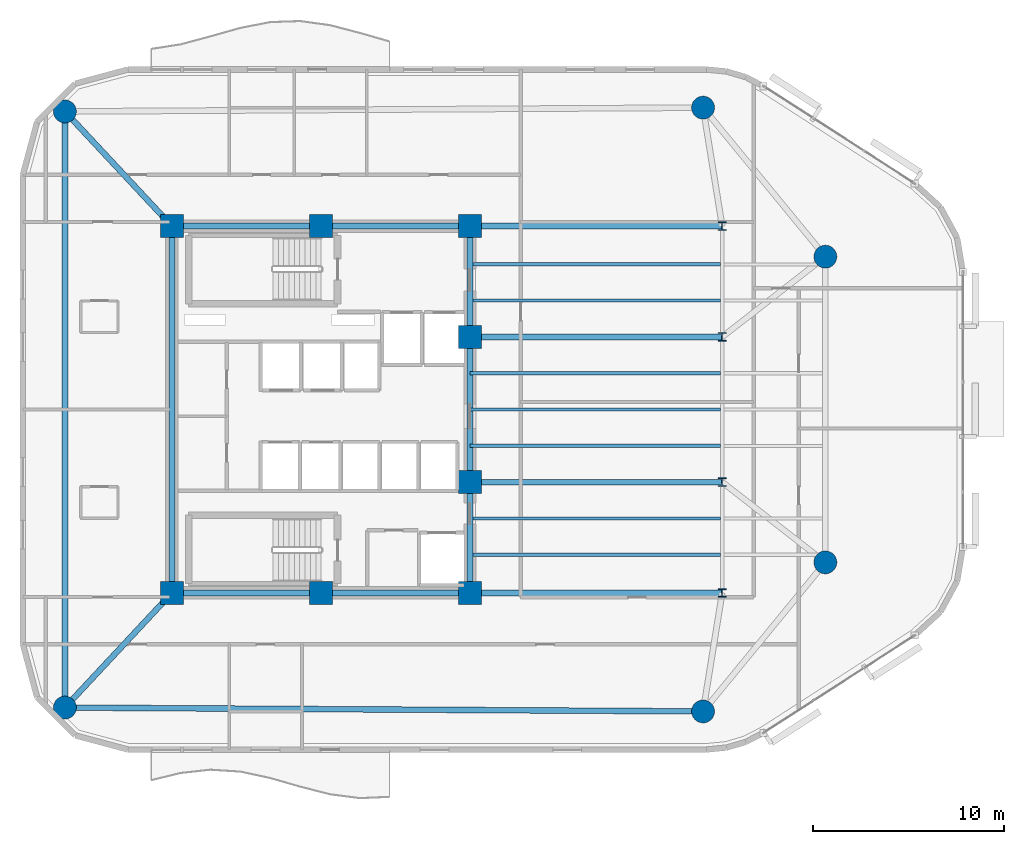
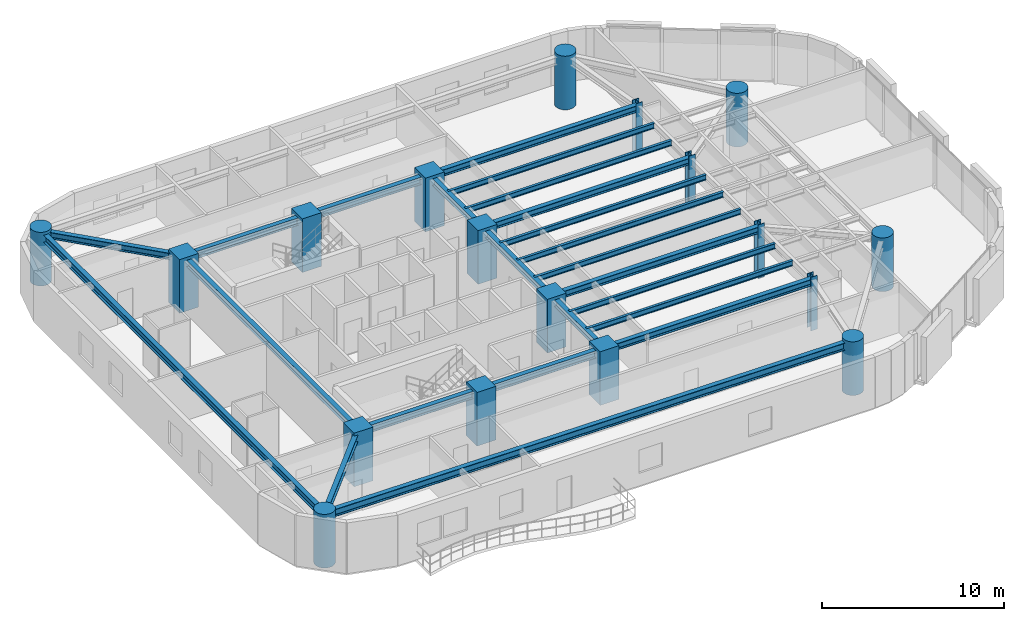
# One storey, part 1 of 15: 21 beams, 18 columns.
"""IFC4 building model written with IfcOpenShell, lengths in metres."""

from ifc_helpers import new_model, si_unit, direction, frame, origin, origin_2d, place, context, subcontext, project, spatial, rectangle, circle, i_section, extrude, material, material_profile, profile_set, type_object, element, save


model = new_model("IFC4")

# Units and contexts
model_context = context("Model", 3, precision=1e-05, world=origin(), true_north=direction((0.0, 1.0)))
body_context = subcontext(model_context, "Body", "Model", "MODEL_VIEW")
ifc_project = project(units=[si_unit("LENGTHUNIT", "METRE"), si_unit("AREAUNIT", "SQUARE_METRE"), si_unit("VOLUMEUNIT", "CUBIC_METRE"), si_unit("PLANEANGLEUNIT", "RADIAN"), si_unit("MASSUNIT", "GRAM", prefix="KILO")], contexts=[model_context])

# Site, building, storey
site_placement = place(None, origin())
site = spatial("IfcSite", under=ifc_project, at=site_placement, CompositionType="ELEMENT")
building_placement = place(site_placement, origin())
building = spatial("IfcBuilding", under=site, at=building_placement, Name="An Khanh Terracotta Commons", CompositionType="ELEMENT")
storey_placement = place(building_placement, frame((0.0, 0.0, 165.39990234375)))
storey = spatial("IfcBuildingStorey", under=building, at=storey_placement, Name="L43", CompositionType="ELEMENT", Elevation=165.39990234375)

# Columns
ifc_material_1 = material(Name="Concrete C60/75", Category="concrete")
ifc_material_profile_1 = material_profile(ifc_material_1, circle(Radius=0.60009765625, at=origin_2d()), Name="CFST1200")
ifc_profile_set_1 = profile_set([ifc_material_profile_1], Name="Concrete C60/75")
column_type_1 = type_object("IfcColumnType", Name="COL-CFST1200", PredefinedType="COLUMN", material=ifc_profile_set_1)
for number, where, z_axis, x_axis, name in (
    (1, (16.0, 8.39990234375, 0.0), (0.0, 0.0, 1.0), (1.0, 0.0, 0.0), "L43 Perimeter CFST Mega-Column MC-01"),
    (2, (49.39990234375, 8.199951171875, 0.0), (0.0, 0.0, 1.0), (1.0, 0.0, 0.0), "L43 Perimeter CFST Mega-Column MC-02"),
    (3, (55.800048828125, 16.0, 0.0), (0.0, 0.0, 1.0), (1.0, 0.0, 0.0), "L43 Perimeter CFST Mega-Column MC-03"),
    (4, (55.800048828125, 32.0, 0.0), (0.0, 0.0, 1.0), (1.0, 0.0, 0.0), "L43 Perimeter CFST Mega-Column MC-04"),
    (5, (49.39990234375, 39.800048828125, 0.0), (0.0, 0.0, 1.0), (1.0, 0.0, 0.0), "L43 Perimeter CFST Mega-Column MC-05"),
    (6, (16.0, 39.60009765625, 0.0), (0.0, 0.0, 1.0), (1.0, 0.0, 0.0), "L43 Perimeter CFST Mega-Column MC-06"),
):
    element("IfcColumn", number, at=place(storey_placement, frame(where, z_axis=z_axis, x_axis=x_axis)), inside=storey, type_object=column_type_1, Name=name, PredefinedType="COLUMN", context=body_context, shape_type="SweptSolid", body=[
        extrude(circle(Radius=0.60009765625, at=origin_2d()), origin(), (0.0, 0.0, 1.0), 3.60009765625),
    ])
ifc_material_2 = material(Name="Steel S460ML", Category="steel")
ifc_material_profile_2 = material_profile(ifc_material_2, i_section(OverallWidth=0.406005859375, OverallDepth=0.43994140625, WebThickness=0.02392578125, FlangeThickness=0.0390625, FilletRadius=0.014892578125, at=origin_2d()), Name="HD400x314")
ifc_profile_set_2 = profile_set([ifc_material_profile_2], Name="Steel S460ML")
column_type_2 = type_object("IfcColumnType", Name="COL-HD400x314", PredefinedType="COLUMN", material=ifc_profile_set_2)
for number, where, z_axis, x_axis, name in (
    (7, (50.39990234375, 14.39990234375, 0.0), (0.0, 0.0, 1.0), (1.0, 0.0, 0.0), "L43 Interior Frame Column TC-01"),
    (8, (50.39990234375, 20.199951171875, 0.0), (0.0, 0.0, 1.0), (1.0, 0.0, 0.0), "L43 Interior Frame Column TC-02"),
    (9, (50.39990234375, 27.800048828125, 0.0), (0.0, 0.0, 1.0), (1.0, 0.0, 0.0), "L43 Interior Frame Column TC-03"),
    (10, (50.39990234375, 33.60009765625, 0.0), (0.0, 0.0, 1.0), (1.0, 0.0, 0.0), "L43 Interior Frame Column TC-04"),
):
    element("IfcColumn", number, at=place(storey_placement, frame(where, z_axis=z_axis, x_axis=x_axis)), inside=storey, type_object=column_type_2, Name=name, PredefinedType="COLUMN", context=body_context, shape_type="SweptSolid", body=[
        extrude(i_section(OverallWidth=0.406005859375, OverallDepth=0.43994140625, WebThickness=0.02392578125, FlangeThickness=0.0390625, FilletRadius=0.014892578125, at=origin_2d()), origin(), (0.0, 0.0, 1.0), 3.60009765625),
    ])
ifc_material_profile_3 = material_profile(ifc_material_1, rectangle(XDim=1.199951171875, YDim=1.199951171875, at=origin_2d()), Name="RC1200x1200")
ifc_profile_set_3 = profile_set([ifc_material_profile_3], Name="Concrete C60/75")
column_type_3 = type_object("IfcColumnType", Name="COL-RC1200x1200", PredefinedType="COLUMN", material=ifc_profile_set_3)
for number, where, z_axis, x_axis, name in (
    (11, (21.60009765625, 14.39990234375, 0.0), (0.0, 0.0, 1.0), (1.0, 0.0, 0.0), "L43 Core Boundary Column CC-01"),
    (12, (29.39990234375, 14.39990234375, 0.0), (0.0, 0.0, 1.0), (1.0, 0.0, 0.0), "L43 Core Boundary Column CC-02"),
    (13, (37.199951171875, 14.39990234375, 0.0), (0.0, 0.0, 1.0), (1.0, 0.0, 0.0), "L43 Core Boundary Column CC-03"),
    (14, (37.199951171875, 20.199951171875, 0.0), (0.0, 0.0, 1.0), (1.0, 0.0, 0.0), "L43 Core Boundary Column CC-04"),
    (15, (37.199951171875, 27.800048828125, 0.0), (0.0, 0.0, 1.0), (1.0, 0.0, 0.0), "L43 Core Boundary Column CC-05"),
    (16, (37.199951171875, 33.60009765625, 0.0), (0.0, 0.0, 1.0), (1.0, 0.0, 0.0), "L43 Core Boundary Column CC-06"),
    (17, (29.39990234375, 33.60009765625, 0.0), (0.0, 0.0, 1.0), (1.0, 0.0, 0.0), "L43 Core Boundary Column CC-07"),
    (18, (21.60009765625, 33.60009765625, 0.0), (0.0, 0.0, 1.0), (1.0, 0.0, 0.0), "L43 Core Boundary Column CC-08"),
):
    element("IfcColumn", number, at=place(storey_placement, frame(where, z_axis=z_axis, x_axis=x_axis)), inside=storey, type_object=column_type_3, Name=name, PredefinedType="COLUMN", context=body_context, shape_type="SweptSolid", body=[
        extrude(rectangle(XDim=1.199951171875, YDim=1.199951171875, at=origin_2d()), origin(), (0.0, 0.0, 1.0), 3.60009765625),
    ])

# Beams
ifc_material_3 = material(Name="Steel S355J2", Category="steel")
ifc_material_profile_4 = material_profile(ifc_material_3, i_section(OverallWidth=0.300048828125, OverallDepth=0.449951171875, WebThickness=0.013916015625, FlangeThickness=0.02587890625, FilletRadius=0.027099609375, at=origin_2d()), Name="HEB450")
ifc_profile_set_4 = profile_set([ifc_material_profile_4], Name="Steel S355J2")
beam_type_1 = type_object("IfcBeamType", Name="BM-HEB450", PredefinedType="BEAM", material=ifc_profile_set_4)
beam_1_placement = place(storey_placement, frame((37.199951171875, 14.39990234375, 3.175048828125), z_axis=(0.0, 1.0, 0.0), x_axis=(-1.0, 0.0, 0.0)))
element("IfcBeam", 19, at=beam_1_placement, inside=storey, type_object=beam_type_1, Name="L43 Core East Coupling Girder 1", PredefinedType="BEAM", context=body_context, shape_type="SweptSolid", body=[
    extrude(i_section(OverallWidth=0.300048828125, OverallDepth=0.449951171875, WebThickness=0.013916015625, FlangeThickness=0.02587890625, FilletRadius=0.027099609375, at=origin_2d()), origin(), (0.0, 0.0, 1.0), 5.800048828125),
])
beam_2_placement = place(storey_placement, frame((37.199951171875, 20.199951171875, 3.175048828125), z_axis=(0.0, 1.0, 0.0), x_axis=(-1.0, 0.0, 0.0)))
element("IfcBeam", 20, at=beam_2_placement, inside=storey, type_object=beam_type_1, Name="L43 Core East Coupling Girder 2", PredefinedType="BEAM", context=body_context, shape_type="SweptSolid", body=[
    extrude(i_section(OverallWidth=0.300048828125, OverallDepth=0.449951171875, WebThickness=0.013916015625, FlangeThickness=0.02587890625, FilletRadius=0.027099609375, at=origin_2d()), origin(), (0.0, 0.0, 1.0), 7.60009765625),
])
beam_3_placement = place(storey_placement, frame((37.199951171875, 27.800048828125, 3.175048828125), z_axis=(0.0, 1.0, 0.0), x_axis=(-1.0, 0.0, 0.0)))
element("IfcBeam", 21, at=beam_3_placement, inside=storey, type_object=beam_type_1, Name="L43 Core East Coupling Girder 3", PredefinedType="BEAM", context=body_context, shape_type="SweptSolid", body=[
    extrude(i_section(OverallWidth=0.300048828125, OverallDepth=0.449951171875, WebThickness=0.013916015625, FlangeThickness=0.02587890625, FilletRadius=0.027099609375, at=origin_2d()), origin(), (0.0, 0.0, 1.0), 5.800048828125),
])
beam_4_placement = place(storey_placement, frame((21.60009765625, 14.39990234375, 3.175048828125), z_axis=(0.0, 1.0, 0.0), x_axis=(-1.0, 0.0, 0.0)))
element("IfcBeam", 22, at=beam_4_placement, inside=storey, type_object=beam_type_1, Name="L43 Core West Coupling Girder", PredefinedType="BEAM", context=body_context, shape_type="SweptSolid", body=[
    extrude(i_section(OverallWidth=0.300048828125, OverallDepth=0.449951171875, WebThickness=0.013916015625, FlangeThickness=0.02587890625, FilletRadius=0.027099609375, at=origin_2d()), origin(), (0.0, 0.0, 1.0), 19.2001953125),
])
for number, where, z_axis, x_axis, name in (
    (23, (37.199951171875, 14.39990234375, 3.175048828125), (1.0, 0.0, 0.0), (0.0, 1.0, 0.0), "L43 East Primary Floor Girder 1"),
    (24, (37.199951171875, 20.199951171875, 3.175048828125), (1.0, 0.0, 0.0), (0.0, 1.0, 0.0), "L43 East Primary Floor Girder 2"),
    (25, (37.199951171875, 27.800048828125, 3.175048828125), (1.0, 0.0, 0.0), (0.0, 1.0, 0.0), "L43 East Primary Floor Girder 3"),
    (26, (37.199951171875, 33.60009765625, 3.175048828125), (1.0, 0.0, 0.0), (0.0, 1.0, 0.0), "L43 East Primary Floor Girder 4"),
):
    element("IfcBeam", number, at=place(storey_placement, frame(where, z_axis=z_axis, x_axis=x_axis)), inside=storey, type_object=beam_type_1, Name=name, PredefinedType="BEAM", context=body_context, shape_type="SweptSolid", body=[
        extrude(i_section(OverallWidth=0.300048828125, OverallDepth=0.449951171875, WebThickness=0.013916015625, FlangeThickness=0.02587890625, FilletRadius=0.027099609375, at=origin_2d()), origin(), (0.0, 0.0, 1.0), 13.199951171875),
    ])
for number, where, z_axis, x_axis, name in (
    (27, (16.0, 8.39990234375, 3.175048828125), (0.682324609438, 0.731049333052, 0.0), (-0.731049333052, 0.682324609438, 0.0), "L43 Mega-Column Tie Girder 1"),
    (28, (16.0, 39.60009765625, 3.175048828125), (0.682324609438, -0.731049333052, 0.0), (0.731049333052, 0.682324609438, 0.0), "L43 Mega-Column Tie Girder 6"),
):
    element("IfcBeam", number, at=place(storey_placement, frame(where, z_axis=z_axis, x_axis=x_axis)), inside=storey, type_object=beam_type_1, Name=name, PredefinedType="BEAM", context=body_context, shape_type="SweptSolid", body=[
        extrude(i_section(OverallWidth=0.300048828125, OverallDepth=0.449951171875, WebThickness=0.013916015625, FlangeThickness=0.02587890625, FilletRadius=0.027099609375, at=origin_2d()), origin(), (0.0, 0.0, 1.0), 8.207275390625),
    ])
ifc_material_profile_5 = material_profile(ifc_material_3, i_section(OverallWidth=0.300048828125, OverallDepth=0.5, WebThickness=0.014404296875, FlangeThickness=0.028076171875, FilletRadius=0.027099609375, at=origin_2d()), Name="HEB500")
ifc_profile_set_5 = profile_set([ifc_material_profile_5], Name="Steel S355J2")
beam_type_2 = type_object("IfcBeamType", Name="BM-HEB500", PredefinedType="BEAM", material=ifc_profile_set_5)
for number, where, z_axis, x_axis, name in (
    (29, (21.60009765625, 14.39990234375, 3.150146484375), (1.0, 0.0, 0.0), (0.0, 1.0, 0.0), "L43 Core South Coupling Girder"),
    (30, (21.60009765625, 33.60009765625, 3.150146484375), (1.0, 0.0, 0.0), (0.0, 1.0, 0.0), "L43 Core North Coupling Girder"),
):
    element("IfcBeam", number, at=place(storey_placement, frame(where, z_axis=z_axis, x_axis=x_axis)), inside=storey, type_object=beam_type_2, Name=name, PredefinedType="BEAM", context=body_context, shape_type="SweptSolid", body=[
        extrude(i_section(OverallWidth=0.300048828125, OverallDepth=0.5, WebThickness=0.014404296875, FlangeThickness=0.028076171875, FilletRadius=0.027099609375, at=origin_2d()), origin(), (0.0, 0.0, 1.0), 15.599853515625),
    ])
beam_5_placement = place(storey_placement, frame((16.0, 8.39990234375, 3.150146484375), z_axis=(0.999982080914, -0.005986472262, 0.0), x_axis=(0.005986472262, 0.999982080914, 0.0)))
element("IfcBeam", 31, at=beam_5_placement, inside=storey, type_object=beam_type_2, Name="L43 Perimeter Ring Spandrel 1", PredefinedType="BEAM", context=body_context, shape_type="SweptSolid", body=[
    extrude(i_section(OverallWidth=0.300048828125, OverallDepth=0.5, WebThickness=0.014404296875, FlangeThickness=0.028076171875, FilletRadius=0.027099609375, at=origin_2d()), origin(), (0.0, 0.0, 1.0), 33.400390625),
])
beam_6_placement = place(storey_placement, frame((16.0, 39.60009765625, 3.150146484375), z_axis=(0.0, -1.0, 0.0), x_axis=(1.0, 0.0, 0.0)))
element("IfcBeam", 32, at=beam_6_placement, inside=storey, type_object=beam_type_2, Name="L43 Perimeter Ring Spandrel 6", PredefinedType="BEAM", context=body_context, shape_type="SweptSolid", body=[
    extrude(i_section(OverallWidth=0.300048828125, OverallDepth=0.5, WebThickness=0.014404296875, FlangeThickness=0.028076171875, FilletRadius=0.027099609375, at=origin_2d()), origin(), (0.0, 0.0, 1.0), 31.2001953125),
])
ifc_material_profile_6 = material_profile(ifc_material_3, i_section(OverallWidth=0.169921875, OverallDepth=0.360107421875, WebThickness=0.008056640625, FlangeThickness=0.0126953125, FilletRadius=0.01806640625, at=origin_2d()), Name="IPE360")
ifc_profile_set_6 = profile_set([ifc_material_profile_6], Name="Steel S355J2")
beam_type_3 = type_object("IfcBeamType", Name="BM-IPE360", PredefinedType="JOIST", material=ifc_profile_set_6)
for number, where, z_axis, x_axis, name in (
    (33, (37.199951171875, 16.39990234375, 3.22021484375), (1.0, 0.0, 0.0), (0.0, 1.0, 0.0), "L43 Inboard Composite Joist 1"),
    (34, (37.199951171875, 18.300048828125, 3.22021484375), (1.0, 0.0, 0.0), (0.0, 1.0, 0.0), "L43 Inboard Composite Joist 2"),
    (35, (37.199951171875, 22.10009765625, 3.22021484375), (1.0, 0.0, 0.0), (0.0, 1.0, 0.0), "L43 Inboard Composite Joist 3"),
    (36, (37.199951171875, 24.0, 3.22021484375), (1.0, 0.0, 0.0), (0.0, 1.0, 0.0), "L43 Inboard Composite Joist 4"),
    (37, (37.199951171875, 25.89990234375, 3.22021484375), (1.0, 0.0, 0.0), (0.0, 1.0, 0.0), "L43 Inboard Composite Joist 5"),
    (38, (37.199951171875, 29.699951171875, 3.22021484375), (1.0, 0.0, 0.0), (0.0, 1.0, 0.0), "L43 Inboard Composite Joist 6"),
    (39, (37.199951171875, 31.60009765625, 3.22021484375), (1.0, 0.0, 0.0), (0.0, 1.0, 0.0), "L43 Inboard Composite Joist 7"),
):
    element("IfcBeam", number, at=place(storey_placement, frame(where, z_axis=z_axis, x_axis=x_axis)), inside=storey, type_object=beam_type_3, Name=name, PredefinedType="JOIST", context=body_context, shape_type="SweptSolid", body=[
        extrude(i_section(OverallWidth=0.169921875, OverallDepth=0.360107421875, WebThickness=0.008056640625, FlangeThickness=0.0126953125, FilletRadius=0.01806640625, at=origin_2d()), origin(), (0.0, 0.0, 1.0), 13.10009765625),
    ])

save(model, "model.ifc")
